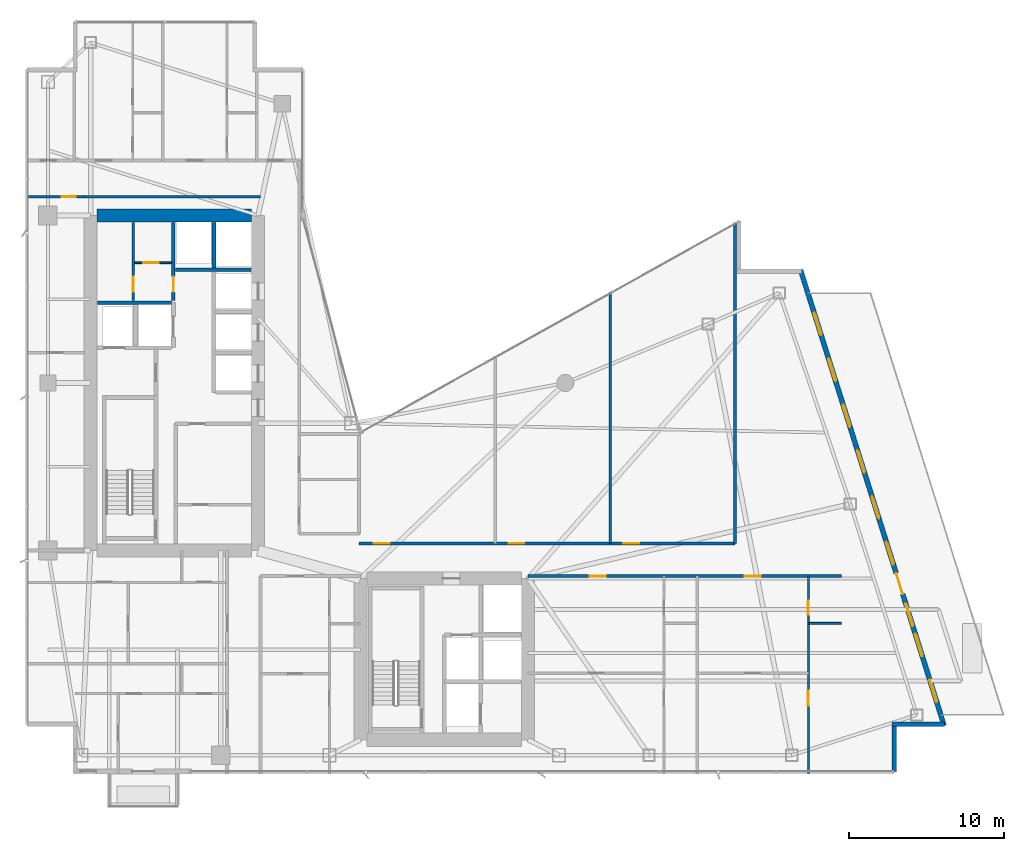
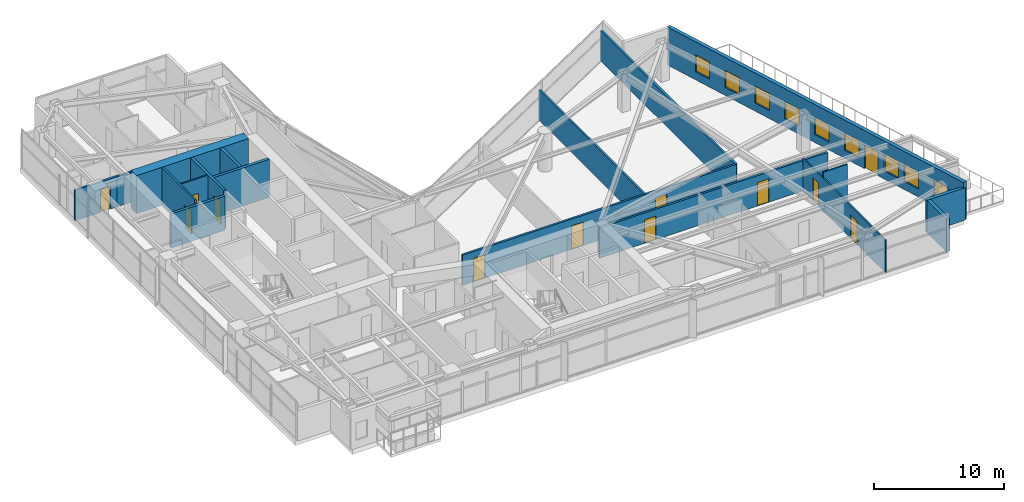
# One storey, part 24 of 28: 18 walls, 12 doors, 9 windows, 21 openings.
"""IFC4 building model written with IfcOpenShell, lengths in metres."""

from ifc_helpers import new_model, si_unit, direction, frame, frame_2d, origin, place, context, subcontext, project, spatial, rectangle, extrude, material, layer, layer_set, type_object, element, fill, save


model = new_model("IFC4")

# Units and contexts
model_context = context("Model", 3, precision=1e-05, world=origin(), true_north=direction((0.0, 1.0)))
body_context = subcontext(model_context, "Body", "Model", "MODEL_VIEW")
ifc_project = project(units=[si_unit("LENGTHUNIT", "METRE"), si_unit("AREAUNIT", "SQUARE_METRE"), si_unit("VOLUMEUNIT", "CUBIC_METRE"), si_unit("PLANEANGLEUNIT", "RADIAN"), si_unit("MASSUNIT", "GRAM", prefix="KILO")], contexts=[model_context])

# Site, building, storey
site_placement = place(None, origin())
site = spatial("IfcSite", under=ifc_project, at=site_placement, CompositionType="ELEMENT")
building_placement = place(site_placement, origin())
building = spatial("IfcBuilding", under=site, at=building_placement, Name="Calvorn Quay Hotel", CompositionType="ELEMENT")
storey_placement = place(building_placement, frame((0.0, 0.0, 97.39990234375)))
storey = spatial("IfcBuildingStorey", under=building, at=storey_placement, Name="L23", CompositionType="ELEMENT", Elevation=97.39990234375)

# Wall
ifc_material_1 = material(Name="Concrete C50", Category="concrete")
ifc_layer_1 = layer(ifc_material_1, 0.85009765625)
ifc_layer_set_1 = layer_set([ifc_layer_1], Name="WL-CORE-850")
wall_type_1 = type_object("IfcWallType", Name="WL-CORE-850", PredefinedType="SHEAR", material=ifc_layer_set_1)
wall_1_placement = place(storey_placement, frame((4.625, 38.39990234375, 0.0), z_axis=(0.0, 0.0, 1.0), x_axis=(1.0, 0.0, 0.0)))
element("IfcWall", 1, at=wall_1_placement, inside=storey, type_object=wall_type_1, Name="West Core Shear Wall N (L23)", PredefinedType="SHEAR", context=body_context, shape_type="SweptSolid", body=[
    extrude(rectangle(XDim=9.949951171875, YDim=0.85009765625, at=frame_2d((4.97509765625, 0.0))), origin(), (0.0, 0.0, 1.0), 3.56005859375),
])

# Wall, opening, door
ifc_material_2 = material(Name="Acoustic Fireboard Steel-Stud Partition", Category="steel")
ifc_layer_2 = layer(ifc_material_2, 0.179931640625)
ifc_layer_set_2 = layer_set([ifc_layer_2], Name="WL-CORR-FIRE-180")
wall_type_2 = type_object("IfcWallType", Name="WL-CORR-FIRE-180", PredefinedType="PARTITIONING", material=ifc_layer_set_2)
wall_2_placement = place(storey_placement, frame((0.080078125, 39.60009765625, 0.0), z_axis=(0.0, 0.0, 1.0), x_axis=(1.0, 0.0, 0.0)))
wall_2 = element("IfcWall", 2, at=wall_2_placement, inside=storey, type_object=wall_type_2, Name="Partition Wall L23-WL-WBAY-N-DOOR", PredefinedType="PARTITIONING", context=body_context, shape_type="SweptSolid", body=[
    extrude(rectangle(XDim=3.724853515625, YDim=0.179931640625, at=frame_2d((1.8623046875, 0.0))), origin(), (0.0, 0.0, 1.0), 2.840087890625),
])
opening_1_placement = place(wall_2_placement, frame((2.25, 0.0, 0.0)))
opening_1 = element("IfcOpeningElement", 3, at=opening_1_placement, cuts=wall_2, Name="Opening D-L23-WBN", PredefinedType="OPENING", context=body_context, shape_type="SweptSolid", body=[
    extrude(rectangle(XDim=0.89990234375, YDim=2.14990234375, at=frame_2d((0.449951171875, 1.074951171875))), frame((0.0, 0.099853515625, 0.0), z_axis=(0.0, -1.0, 0.0), x_axis=(1.0, 0.0, 0.0)), (0.0, 0.0, 1.0), 0.199951171875),
])
ifc_material_3 = material(Name="Moisture-Sealed Timber En-Suite Door", Category="wood")
door_type_1 = type_object("IfcDoorType", Name="DR-ENSUITE-900", OperationType="NOTDEFINED", PredefinedType="DOOR", material=ifc_material_3)
door_1_placement = place(opening_1_placement, origin())
door_1 = element("IfcDoor", 4, at=door_1_placement, inside=storey, type_object=door_type_1, Name="West North Bay Door (L23)", OperationType="SINGLE_SWING_LEFT", OverallHeight=2.14990234375, OverallWidth=0.89990234375, PredefinedType="DOOR", context=body_context, shape_type="SweptSolid", body=[
    extrude(rectangle(XDim=0.89990234375, YDim=2.14990234375, at=frame_2d((0.449951171875, 1.074951171875))), frame((0.0, 0.02490234375, 0.0), z_axis=(0.0, -1.0, 0.0), x_axis=(1.0, 0.0, 0.0)), (0.0, 0.0, 1.0), 0.050048828125),
])
fill(opening_1, door_1)

# Wall
wall_3_placement = place(storey_placement, frame((3.7548828125, 39.60009765625, 0.0), z_axis=(0.0, 0.0, 1.0), x_axis=(1.0, 0.0, 0.0)))
element("IfcWall", 5, at=wall_3_placement, inside=storey, type_object=wall_type_2, Name="Partition Wall L23-WL-W-SPUR-S", PredefinedType="PARTITIONING", context=body_context, shape_type="SweptSolid", body=[
    extrude(rectangle(XDim=11.39501953125, YDim=0.179931640625, at=frame_2d((5.697509765625, 0.0))), origin(), (0.0, 0.0, 1.0), 2.840087890625),
])

# Wall, openings, doors
wall_4_placement = place(storey_placement, frame((32.39990234375, 15.14990234375, 0.0), z_axis=(0.0, 0.0, 1.0), x_axis=(1.0, 0.0, 0.0)))
wall_4 = element("IfcWall", 6, at=wall_4_placement, inside=storey, type_object=wall_type_2, Name="Partition Wall L23-WL-CORR-SE-S", PredefinedType="PARTITIONING", context=body_context, shape_type="SweptSolid", body=[
    extrude(rectangle(XDim=20.2001953125, YDim=0.179931640625, at=frame_2d((10.10009765625, 0.0))), origin(), (0.0, 0.0, 1.0), 2.840087890625),
])
opening_2_placement = place(wall_4_placement, frame((3.97998046875, 0.0, 0.0)))
opening_2 = element("IfcOpeningElement", 7, at=opening_2_placement, cuts=wall_4, Name="Opening D-L23-U06", PredefinedType="OPENING", context=body_context, shape_type="SweptSolid", body=[
    extrude(rectangle(XDim=1.02001953125, YDim=2.199951171875, at=frame_2d((0.510009765625, 1.10009765625))), frame((0.0, 0.099853515625, 0.0), z_axis=(0.0, -1.0, 0.0), x_axis=(1.0, 0.0, 0.0)), (0.0, 0.0, 1.0), 0.199951171875),
])
opening_3_placement = place(wall_4_placement, frame((13.97998046875, 0.0, 0.0)))
opening_3 = element("IfcOpeningElement", 8, at=opening_3_placement, cuts=wall_4, Name="Opening D-L23-U07", PredefinedType="OPENING", context=body_context, shape_type="SweptSolid", body=[
    extrude(rectangle(XDim=1.02001953125, YDim=2.199951171875, at=frame_2d((0.510009765625, 1.10009765625))), frame((0.0, 0.099853515625, 0.0), z_axis=(0.0, -1.0, 0.0), x_axis=(1.0, 0.0, 0.0)), (0.0, 0.0, 1.0), 0.199951171875),
])
ifc_material_4 = material(Name="Solid-Core Walnut Veneer Hotel Fire Door")
door_type_2 = type_object("IfcDoorType", Name="DR-GUEST-ENTRY-1020", OperationType="NOTDEFINED", PredefinedType="DOOR", material=ifc_material_4)
door_2_placement = place(opening_2_placement, origin())
door_2 = element("IfcDoor", 9, at=door_2_placement, inside=storey, type_object=door_type_2, Name="South-East Unit Door U06 (L23)", OperationType="SINGLE_SWING_LEFT", OverallHeight=2.199951171875, OverallWidth=1.02001953125, PredefinedType="DOOR", context=body_context, shape_type="SweptSolid", body=[
    extrude(rectangle(XDim=1.02001953125, YDim=2.199951171875, at=frame_2d((0.510009765625, 1.10009765625))), frame((0.0, 0.02490234375, 0.0), z_axis=(0.0, -1.0, 0.0), x_axis=(1.0, 0.0, 0.0)), (0.0, 0.0, 1.0), 0.050048828125),
])
fill(opening_2, door_2)
door_3_placement = place(opening_3_placement, origin())
door_3 = element("IfcDoor", 10, at=door_3_placement, inside=storey, type_object=door_type_2, Name="South-East Unit Door U07 (L23)", OperationType="SINGLE_SWING_RIGHT", OverallHeight=2.199951171875, OverallWidth=1.02001953125, PredefinedType="DOOR", context=body_context, shape_type="SweptSolid", body=[
    extrude(rectangle(XDim=1.02001953125, YDim=2.199951171875, at=frame_2d((0.510009765625, 1.10009765625))), frame((0.0, 0.02490234375, 0.0), z_axis=(0.0, -1.0, 0.0), x_axis=(1.0, 0.0, 0.0)), (0.0, 0.0, 1.0), 0.050048828125),
])
fill(opening_3, door_3)

wall_5_placement = place(storey_placement, frame((21.5, 17.25, 0.0), z_axis=(0.0, 0.0, 1.0), x_axis=(1.0, 0.0, 0.0)))
wall_5 = element("IfcWall", 11, at=wall_5_placement, inside=storey, type_object=wall_type_2, Name="Partition Wall L23-WL-CORR-NE-N", PredefinedType="PARTITIONING", context=body_context, shape_type="SweptSolid", body=[
    extrude(rectangle(XDim=24.25, YDim=0.179931640625, at=frame_2d((12.125, 0.0))), origin(), (0.0, 0.0, 1.0), 2.840087890625),
])
opening_4_placement = place(wall_5_placement, frame((0.949951171875, 0.0, 0.0)))
opening_4 = element("IfcOpeningElement", 12, at=opening_4_placement, cuts=wall_5, Name="Opening D-L23-NS1", PredefinedType="OPENING", context=body_context, shape_type="SweptSolid", body=[
    extrude(rectangle(XDim=1.02001953125, YDim=2.199951171875, at=frame_2d((0.510009765625, 1.10009765625))), frame((0.0, 0.099853515625, 0.0), z_axis=(0.0, -1.0, 0.0), x_axis=(1.0, 0.0, 0.0)), (0.0, 0.0, 1.0), 0.199951171875),
])
opening_5_placement = place(wall_5_placement, frame((9.64990234375, 0.0, 0.0)))
opening_5 = element("IfcOpeningElement", 13, at=opening_5_placement, cuts=wall_5, Name="Opening D-L23-NS2", PredefinedType="OPENING", context=body_context, shape_type="SweptSolid", body=[
    extrude(rectangle(XDim=1.02001953125, YDim=2.199951171875, at=frame_2d((0.510009765625, 1.10009765625))), frame((0.0, 0.099853515625, 0.0), z_axis=(0.0, -1.0, 0.0), x_axis=(1.0, 0.0, 0.0)), (0.0, 0.0, 1.0), 0.199951171875),
])
opening_6_placement = place(wall_5_placement, frame((17.050048828125, 0.0, 0.0)))
opening_6 = element("IfcOpeningElement", 14, at=opening_6_placement, cuts=wall_5, Name="Opening D-L23-NS3", PredefinedType="OPENING", context=body_context, shape_type="SweptSolid", body=[
    extrude(rectangle(XDim=1.02001953125, YDim=2.199951171875, at=frame_2d((0.510009765625, 1.10009765625))), frame((0.0, 0.099853515625, 0.0), z_axis=(0.0, -1.0, 0.0), x_axis=(1.0, 0.0, 0.0)), (0.0, 0.0, 1.0), 0.199951171875),
])
door_4_placement = place(opening_4_placement, origin())
door_4 = element("IfcDoor", 15, at=door_4_placement, inside=storey, type_object=door_type_2, Name="Conservatory Salon Door 1 (L23)", OperationType="SINGLE_SWING_RIGHT", OverallHeight=2.199951171875, OverallWidth=1.02001953125, PredefinedType="DOOR", context=body_context, shape_type="SweptSolid", body=[
    extrude(rectangle(XDim=1.02001953125, YDim=2.199951171875, at=frame_2d((0.510009765625, 1.10009765625))), frame((0.0, 0.02490234375, 0.0), z_axis=(0.0, -1.0, 0.0), x_axis=(1.0, 0.0, 0.0)), (0.0, 0.0, 1.0), 0.050048828125),
])
fill(opening_4, door_4)
door_5_placement = place(opening_5_placement, origin())
door_5 = element("IfcDoor", 16, at=door_5_placement, inside=storey, type_object=door_type_2, Name="Conservatory Salon Door 2 (L23)", OperationType="SINGLE_SWING_LEFT", OverallHeight=2.199951171875, OverallWidth=1.02001953125, PredefinedType="DOOR", context=body_context, shape_type="SweptSolid", body=[
    extrude(rectangle(XDim=1.02001953125, YDim=2.199951171875, at=frame_2d((0.510009765625, 1.10009765625))), frame((0.0, 0.02490234375, 0.0), z_axis=(0.0, -1.0, 0.0), x_axis=(1.0, 0.0, 0.0)), (0.0, 0.0, 1.0), 0.050048828125),
])
fill(opening_5, door_5)
door_6_placement = place(opening_6_placement, origin())
door_6 = element("IfcDoor", 17, at=door_6_placement, inside=storey, type_object=door_type_2, Name="Conservatory Salon Door 3 (L23)", OperationType="SINGLE_SWING_RIGHT", OverallHeight=2.199951171875, OverallWidth=1.02001953125, PredefinedType="DOOR", context=body_context, shape_type="SweptSolid", body=[
    extrude(rectangle(XDim=1.02001953125, YDim=2.199951171875, at=frame_2d((0.510009765625, 1.10009765625))), frame((0.0, 0.02490234375, 0.0), z_axis=(0.0, -1.0, 0.0), x_axis=(1.0, 0.0, 0.0)), (0.0, 0.0, 1.0), 0.050048828125),
])
fill(opening_6, door_6)

# Wall
wall_6_placement = place(storey_placement, frame((45.75, 17.25, 0.0), z_axis=(0.0, 0.0, 1.0), x_axis=(0.0, 1.0, 0.0)))
element("IfcWall", 18, at=wall_6_placement, inside=storey, type_object=wall_type_2, Name="Partition Wall L23-WL-NE-END-E", PredefinedType="PARTITIONING", context=body_context, shape_type="SweptSolid", body=[
    extrude(rectangle(XDim=20.68994140625, YDim=0.179931640625, at=frame_2d((10.344970703125, 0.0))), origin(), (0.0, 0.0, 1.0), 2.840087890625),
])

# Wall, opening, door
ifc_material_5 = material(Name="Moisture-Resistant Tile-Backed Partition")
ifc_layer_3 = layer(ifc_material_5, 0.125)
ifc_layer_set_3 = layer_set([ifc_layer_3], Name="WL-ENSUITE-125")
wall_type_3 = type_object("IfcWallType", Name="WL-ENSUITE-125", PredefinedType="PARTITIONING", material=ifc_layer_set_3)
wall_7_placement = place(storey_placement, frame((7.050048828125, 35.35009765625, 0.0), z_axis=(0.0, 0.0, 1.0), x_axis=(1.0, 0.0, 0.0)))
wall_7 = element("IfcWall", 19, at=wall_7_placement, inside=storey, type_object=wall_type_3, Name="Partition Wall L23-WL-CWW-K-H", PredefinedType="PARTITIONING", context=body_context, shape_type="SweptSolid", body=[
    extrude(rectangle(XDim=2.369873046875, YDim=0.125, at=frame_2d((1.18505859375, 0.0))), origin(), (0.0, 0.0, 1.0), 3.56005859375),
])
opening_7_placement = place(wall_7_placement, frame((0.550048828125, 0.0, 0.0)))
opening_7 = element("IfcOpeningElement", 20, at=opening_7_placement, cuts=wall_7, Name="Opening D-L23-CK3", PredefinedType="OPENING", context=body_context, shape_type="SweptSolid", body=[
    extrude(rectangle(XDim=0.97998046875, YDim=2.14990234375, at=frame_2d((0.489990234375, 1.074951171875))), frame((0.0, 0.072509765625, 0.0), z_axis=(0.0, -1.0, 0.0), x_axis=(1.0, 0.0, 0.0)), (0.0, 0.0, 1.0), 0.14501953125),
])
ifc_material_6 = material(Name="Painted Steel Housekeeping/Riser Fire Door", Category="steel")
door_type_3 = type_object("IfcDoorType", Name="DR-SERVICE-980", OperationType="NOTDEFINED", PredefinedType="DOOR", material=ifc_material_6)
door_7_placement = place(opening_7_placement, origin())
door_7 = element("IfcDoor", 21, at=door_7_placement, inside=storey, type_object=door_type_3, Name="Telecom Closet Door (L23)", OperationType="SINGLE_SWING_RIGHT", OverallHeight=2.14990234375, OverallWidth=0.97998046875, PredefinedType="DOOR", context=body_context, shape_type="SweptSolid", body=[
    extrude(rectangle(XDim=0.97998046875, YDim=2.14990234375, at=frame_2d((0.489990234375, 1.074951171875))), frame((0.0, 0.02490234375, 0.0), z_axis=(0.0, -1.0, 0.0), x_axis=(1.0, 0.0, 0.0)), (0.0, 0.0, 1.0), 0.050048828125),
])
fill(opening_7, door_7)

# Wall
wall_8_placement = place(storey_placement, frame((50.469970703125, 12.10009765625, 0.0), z_axis=(0.0, 0.0, 1.0), x_axis=(1.0, 0.0, 0.0)))
element("IfcWall", 22, at=wall_8_placement, inside=storey, type_object=wall_type_3, Name="Partition Wall L23-WL-U07-BDV", PredefinedType="PARTITIONING", context=body_context, shape_type="SweptSolid", body=[
    extrude(rectangle(XDim=2.130126953125, YDim=0.125, at=frame_2d((1.06494140625, 0.0))), origin(), (0.0, 0.0, 1.0), 3.56005859375),
])

# Wall, openings, doors
wall_9_placement = place(storey_placement, frame((50.469970703125, 2.43994140625, 0.0), z_axis=(0.0, 0.0, 1.0), x_axis=(0.0, 1.0, 0.0)))
wall_9 = element("IfcWall", 23, at=wall_9_placement, inside=storey, type_object=wall_type_3, Name="Partition Wall L23-WL-U07-BV", PredefinedType="PARTITIONING", context=body_context, shape_type="SweptSolid", body=[
    extrude(rectangle(XDim=12.7099609375, YDim=0.125, at=frame_2d((6.35498046875, 0.0))), origin(), (0.0, 0.0, 1.0), 3.0400390625),
])
opening_8_placement = place(wall_9_placement, frame((4.35009765625, 0.0, 0.0)))
opening_8 = element("IfcOpeningElement", 24, at=opening_8_placement, cuts=wall_9, Name="Opening D-L23-S07", PredefinedType="OPENING", context=body_context, shape_type="SweptSolid", body=[
    extrude(rectangle(XDim=0.9599609375, YDim=2.199951171875, at=frame_2d((0.47998046875, 1.10009765625))), frame((0.0, 0.072509765625, 0.0), z_axis=(0.0, -1.0, 0.0), x_axis=(1.0, 0.0, 0.0)), (0.0, 0.0, 1.0), 0.14501953125),
])
opening_9_placement = place(wall_9_placement, frame((10.2099609375, 0.0, 0.0)))
opening_9 = element("IfcOpeningElement", 25, at=opening_9_placement, cuts=wall_9, Name="Opening D-L23-E07", PredefinedType="OPENING", context=body_context, shape_type="SweptSolid", body=[
    extrude(rectangle(XDim=0.89990234375, YDim=2.14990234375, at=frame_2d((0.449951171875, 1.074951171875))), frame((0.0, 0.072509765625, 0.0), z_axis=(0.0, -1.0, 0.0), x_axis=(1.0, 0.0, 0.0)), (0.0, 0.0, 1.0), 0.14501953125),
])
door_8_placement = place(opening_9_placement, origin())
door_8 = element("IfcDoor", 26, at=door_8_placement, inside=storey, type_object=door_type_1, Name="En-Suite Door 07", OperationType="SINGLE_SWING_RIGHT", OverallHeight=2.14990234375, OverallWidth=0.89990234375, PredefinedType="DOOR", context=body_context, shape_type="SweptSolid", body=[
    extrude(rectangle(XDim=0.89990234375, YDim=2.14990234375, at=frame_2d((0.449951171875, 1.074951171875))), frame((0.0, 0.02490234375, 0.0), z_axis=(0.0, -1.0, 0.0), x_axis=(1.0, 0.0, 0.0)), (0.0, 0.0, 1.0), 0.050048828125),
])
fill(opening_9, door_8)
ifc_material_7 = material(Name="Solid Timber Internal Suite Door", Category="wood")
door_type_4 = type_object("IfcDoorType", Name="DR-SUITE-INT-960", OperationType="NOTDEFINED", PredefinedType="DOOR", material=ifc_material_7)
door_9_placement = place(opening_8_placement, origin())
door_9 = element("IfcDoor", 27, at=door_9_placement, inside=storey, type_object=door_type_4, Name="Children Play Nursery Door 07", OperationType="SINGLE_SWING_LEFT", OverallHeight=2.199951171875, OverallWidth=0.9599609375, PredefinedType="DOOR", context=body_context, shape_type="SweptSolid", body=[
    extrude(rectangle(XDim=0.9599609375, YDim=2.199951171875, at=frame_2d((0.47998046875, 1.10009765625))), frame((0.0, 0.02490234375, 0.0), z_axis=(0.0, -1.0, 0.0), x_axis=(1.0, 0.0, 0.0)), (0.0, 0.0, 1.0), 0.050048828125),
])
fill(opening_8, door_9)

# Walls
ifc_material_8 = material(Name="Concrete C40", Category="concrete")
ifc_layer_4 = layer(ifc_material_8, 0.320068359375)
ifc_layer_set_4 = layer_set([ifc_layer_4], Name="WL-EXT-SPANDREL-320")
wall_type_4 = type_object("IfcWallType", Name="WL-EXT-SPANDREL-320", PredefinedType="SOLIDWALL", material=ifc_layer_set_4)
wall_10_placement = place(storey_placement, frame((56.0, 2.52001953125, 0.0), z_axis=(0.0, 0.0, 1.0), x_axis=(0.0, 1.0, 0.0)))
element("IfcWall", 28, at=wall_10_placement, inside=storey, type_object=wall_type_4, Name="Notched Corner Spandrel L23-SE1", PredefinedType="SOLIDWALL", context=body_context, shape_type="SweptSolid", body=[
    extrude(rectangle(XDim=2.93994140625, YDim=0.280029296875, at=frame_2d((1.469970703125, 0.0))), origin(), (0.0, 0.0, 1.0), 3.0400390625),
])
wall_11_placement = place(storey_placement, frame((55.860107421875, 5.60009765625, 0.0), z_axis=(0.0, 0.0, 1.0), x_axis=(1.0, 0.0, 0.0)))
element("IfcWall", 29, at=wall_11_placement, inside=storey, type_object=wall_type_4, Name="Notched Corner Spandrel L23-SE2", PredefinedType="SOLIDWALL", context=body_context, shape_type="SweptSolid", body=[
    extrude(rectangle(XDim=3.3798828125, YDim=0.280029296875, at=frame_2d((1.68994140625, 0.0))), origin(), (0.0, 0.0, 1.0), 3.0400390625),
])

# Wall, openings, door, windows
wall_12_placement = place(storey_placement, frame((59.22998046875, 5.5048828125, 0.0), z_axis=(0.0, 0.0, 1.0), x_axis=(-0.300509063924, 0.953778958931, 0.0)))
wall_12 = element("IfcWall", 30, at=wall_12_placement, inside=storey, type_object=wall_type_4, Name="East Stepped Waterfront Exterior Wall (L23)", PredefinedType="SOLIDWALL", context=body_context, shape_type="SweptSolid", body=[
    extrude(rectangle(XDim=30.814453125, YDim=0.320068359375, at=frame_2d((15.4072265625, 0.0))), origin(), (0.0, 0.0, 1.0), 3.56005859375),
])
opening_10_placement = place(wall_12_placement, frame((8.89990234375, 0.0, 0.0)))
opening_10 = element("IfcOpeningElement", 31, at=opening_10_placement, cuts=wall_12, Name="Opening DTR-L23", PredefinedType="OPENING", context=body_context, shape_type="SweptSolid", body=[
    extrude(rectangle(XDim=1.39990234375, YDim=2.25, at=frame_2d((0.699951171875, 1.125))), frame((0.0, 0.169921875, 0.0), z_axis=(0.0, -1.0, 0.0), x_axis=(1.0, 0.0, 0.0)), (0.0, 0.0, 1.0), 0.340087890625),
])
opening_11_placement = place(wall_12_placement, frame((1.60009765625, 0.0, 0.75)))
opening_11 = element("IfcOpeningElement", 32, at=opening_11_placement, cuts=wall_12, Name="Opening WG-L23-E1", PredefinedType="OPENING", context=body_context, shape_type="SweptSolid", body=[
    extrude(rectangle(XDim=1.5, YDim=1.60009765625, at=frame_2d((0.75, 0.800048828125))), frame((0.0, 0.169921875, 0.0), z_axis=(0.0, -1.0, 0.0), x_axis=(1.0, 0.0, 0.0)), (0.0, 0.0, 1.0), 0.340087890625),
])
opening_12_placement = place(wall_12_placement, frame((4.699951171875, 0.0, 0.75)))
opening_12 = element("IfcOpeningElement", 33, at=opening_12_placement, cuts=wall_12, Name="Opening WG-L23-E2", PredefinedType="OPENING", context=body_context, shape_type="SweptSolid", body=[
    extrude(rectangle(XDim=1.5, YDim=1.60009765625, at=frame_2d((0.75, 0.800048828125))), frame((0.0, 0.169921875, 0.0), z_axis=(0.0, -1.0, 0.0), x_axis=(1.0, 0.0, 0.0)), (0.0, 0.0, 1.0), 0.340087890625),
])
opening_13_placement = place(wall_12_placement, frame((6.75, 0.0, 0.75)))
opening_13 = element("IfcOpeningElement", 34, at=opening_13_placement, cuts=wall_12, Name="Opening WG-L23-E3", PredefinedType="OPENING", context=body_context, shape_type="SweptSolid", body=[
    extrude(rectangle(XDim=1.5, YDim=1.60009765625, at=frame_2d((0.75, 0.800048828125))), frame((0.0, 0.169921875, 0.0), z_axis=(0.0, -1.0, 0.0), x_axis=(1.0, 0.0, 0.0)), (0.0, 0.0, 1.0), 0.340087890625),
])
opening_14_placement = place(wall_12_placement, frame((10.89990234375, 0.0, 0.75)))
opening_14 = element("IfcOpeningElement", 35, at=opening_14_placement, cuts=wall_12, Name="Opening WG-L23-E4", PredefinedType="OPENING", context=body_context, shape_type="SweptSolid", body=[
    extrude(rectangle(XDim=1.5, YDim=1.60009765625, at=frame_2d((0.75, 0.800048828125))), frame((0.0, 0.169921875, 0.0), z_axis=(0.0, -1.0, 0.0), x_axis=(1.0, 0.0, 0.0)), (0.0, 0.0, 1.0), 0.340087890625),
])
opening_15_placement = place(wall_12_placement, frame((14.0, 0.0, 0.75)))
opening_15 = element("IfcOpeningElement", 36, at=opening_15_placement, cuts=wall_12, Name="Opening WG-L23-E5", PredefinedType="OPENING", context=body_context, shape_type="SweptSolid", body=[
    extrude(rectangle(XDim=1.5, YDim=1.60009765625, at=frame_2d((0.75, 0.800048828125))), frame((0.0, 0.169921875, 0.0), z_axis=(0.0, -1.0, 0.0), x_axis=(1.0, 0.0, 0.0)), (0.0, 0.0, 1.0), 0.340087890625),
])
opening_16_placement = place(wall_12_placement, frame((17.10009765625, 0.0, 0.75)))
opening_16 = element("IfcOpeningElement", 37, at=opening_16_placement, cuts=wall_12, Name="Opening WG-L23-E6", PredefinedType="OPENING", context=body_context, shape_type="SweptSolid", body=[
    extrude(rectangle(XDim=1.5, YDim=1.60009765625, at=frame_2d((0.75, 0.800048828125))), frame((0.0, 0.169921875, 0.0), z_axis=(0.0, -1.0, 0.0), x_axis=(1.0, 0.0, 0.0)), (0.0, 0.0, 1.0), 0.340087890625),
])
opening_17_placement = place(wall_12_placement, frame((20.199951171875, 0.0, 0.75)))
opening_17 = element("IfcOpeningElement", 38, at=opening_17_placement, cuts=wall_12, Name="Opening WG-L23-E7", PredefinedType="OPENING", context=body_context, shape_type="SweptSolid", body=[
    extrude(rectangle(XDim=1.5, YDim=1.60009765625, at=frame_2d((0.75, 0.800048828125))), frame((0.0, 0.169921875, 0.0), z_axis=(0.0, -1.0, 0.0), x_axis=(1.0, 0.0, 0.0)), (0.0, 0.0, 1.0), 0.340087890625),
])
opening_18_placement = place(wall_12_placement, frame((23.300048828125, 0.0, 0.75)))
opening_18 = element("IfcOpeningElement", 39, at=opening_18_placement, cuts=wall_12, Name="Opening WG-L23-E8", PredefinedType="OPENING", context=body_context, shape_type="SweptSolid", body=[
    extrude(rectangle(XDim=1.5, YDim=1.60009765625, at=frame_2d((0.75, 0.800048828125))), frame((0.0, 0.169921875, 0.0), z_axis=(0.0, -1.0, 0.0), x_axis=(1.0, 0.0, 0.0)), (0.0, 0.0, 1.0), 0.340087890625),
])
opening_19_placement = place(wall_12_placement, frame((26.39990234375, 0.0, 0.75)))
opening_19 = element("IfcOpeningElement", 40, at=opening_19_placement, cuts=wall_12, Name="Opening WG-L23-E9", PredefinedType="OPENING", context=body_context, shape_type="SweptSolid", body=[
    extrude(rectangle(XDim=1.5, YDim=1.60009765625, at=frame_2d((0.75, 0.800048828125))), frame((0.0, 0.169921875, 0.0), z_axis=(0.0, -1.0, 0.0), x_axis=(1.0, 0.0, 0.0)), (0.0, 0.0, 1.0), 0.340087890625),
])
ifc_material_9 = material(Name="Typhoon-Rated Low-E Aluminium Terrace Door", Category="aluminium")
door_type_5 = type_object("IfcDoorType", Name="DR-BALCONY-GLZ-1400", OperationType="NOTDEFINED", PredefinedType="DOOR", material=ifc_material_9)
door_10_placement = place(opening_10_placement, origin())
door_10 = element("IfcDoor", 41, at=door_10_placement, inside=storey, type_object=door_type_5, Name="Sawtooth Setback Terrace Door (L23)", OperationType="SINGLE_SWING_RIGHT", OverallHeight=2.25, OverallWidth=1.39990234375, PredefinedType="DOOR", context=body_context, shape_type="SweptSolid", body=[
    extrude(rectangle(XDim=1.39990234375, YDim=2.25, at=frame_2d((0.699951171875, 1.125))), frame((0.0, 0.02490234375, 0.0), z_axis=(0.0, -1.0, 0.0), x_axis=(1.0, 0.0, 0.0)), (0.0, 0.0, 1.0), 0.050048828125),
])
fill(opening_10, door_10)
ifc_material_10 = material(Name="Self-Closing Class B Fire Window")
window_type = type_object("IfcWindowType", Name="WIN-REFUGE-1500x1600", PartitioningType="SINGLE_PANEL", PredefinedType="WINDOW", material=ifc_material_10)
window_1_placement = place(opening_11_placement, origin())
window_1 = element("IfcWindow", 42, at=window_1_placement, inside=storey, type_object=window_type, Name="East Facade Window L23-E1", OverallHeight=1.60009765625, OverallWidth=1.5, PartitioningType="SINGLE_PANEL", PredefinedType="WINDOW", context=body_context, shape_type="SweptSolid", body=[
    extrude(rectangle(XDim=1.5, YDim=1.60009765625, at=frame_2d((0.75, 0.800048828125))), frame((0.0, 0.030029296875, 0.0), z_axis=(0.0, -1.0, 0.0), x_axis=(1.0, 0.0, 0.0)), (0.0, 0.0, 1.0), 0.06005859375),
])
fill(opening_11, window_1)
window_2_placement = place(opening_12_placement, origin())
window_2 = element("IfcWindow", 43, at=window_2_placement, inside=storey, type_object=window_type, Name="East Facade Window L23-E2", OverallHeight=1.60009765625, OverallWidth=1.5, PartitioningType="SINGLE_PANEL", PredefinedType="WINDOW", context=body_context, shape_type="SweptSolid", body=[
    extrude(rectangle(XDim=1.5, YDim=1.60009765625, at=frame_2d((0.75, 0.800048828125))), frame((0.0, 0.030029296875, 0.0), z_axis=(0.0, -1.0, 0.0), x_axis=(1.0, 0.0, 0.0)), (0.0, 0.0, 1.0), 0.06005859375),
])
fill(opening_12, window_2)
window_3_placement = place(opening_13_placement, origin())
window_3 = element("IfcWindow", 44, at=window_3_placement, inside=storey, type_object=window_type, Name="East Facade Window L23-E3", OverallHeight=1.60009765625, OverallWidth=1.5, PartitioningType="SINGLE_PANEL", PredefinedType="WINDOW", context=body_context, shape_type="SweptSolid", body=[
    extrude(rectangle(XDim=1.5, YDim=1.60009765625, at=frame_2d((0.75, 0.800048828125))), frame((0.0, 0.030029296875, 0.0), z_axis=(0.0, -1.0, 0.0), x_axis=(1.0, 0.0, 0.0)), (0.0, 0.0, 1.0), 0.06005859375),
])
fill(opening_13, window_3)
window_4_placement = place(opening_14_placement, origin())
window_4 = element("IfcWindow", 45, at=window_4_placement, inside=storey, type_object=window_type, Name="East Facade Window L23-E4", OverallHeight=1.60009765625, OverallWidth=1.5, PartitioningType="SINGLE_PANEL", PredefinedType="WINDOW", context=body_context, shape_type="SweptSolid", body=[
    extrude(rectangle(XDim=1.5, YDim=1.60009765625, at=frame_2d((0.75, 0.800048828125))), frame((0.0, 0.030029296875, 0.0), z_axis=(0.0, -1.0, 0.0), x_axis=(1.0, 0.0, 0.0)), (0.0, 0.0, 1.0), 0.06005859375),
])
fill(opening_14, window_4)
window_5_placement = place(opening_15_placement, origin())
window_5 = element("IfcWindow", 46, at=window_5_placement, inside=storey, type_object=window_type, Name="East Facade Window L23-E5", OverallHeight=1.60009765625, OverallWidth=1.5, PartitioningType="SINGLE_PANEL", PredefinedType="WINDOW", context=body_context, shape_type="SweptSolid", body=[
    extrude(rectangle(XDim=1.5, YDim=1.60009765625, at=frame_2d((0.75, 0.800048828125))), frame((0.0, 0.030029296875, 0.0), z_axis=(0.0, -1.0, 0.0), x_axis=(1.0, 0.0, 0.0)), (0.0, 0.0, 1.0), 0.06005859375),
])
fill(opening_15, window_5)
window_6_placement = place(opening_16_placement, origin())
window_6 = element("IfcWindow", 47, at=window_6_placement, inside=storey, type_object=window_type, Name="East Facade Window L23-E6", OverallHeight=1.60009765625, OverallWidth=1.5, PartitioningType="SINGLE_PANEL", PredefinedType="WINDOW", context=body_context, shape_type="SweptSolid", body=[
    extrude(rectangle(XDim=1.5, YDim=1.60009765625, at=frame_2d((0.75, 0.800048828125))), frame((0.0, 0.030029296875, 0.0), z_axis=(0.0, -1.0, 0.0), x_axis=(1.0, 0.0, 0.0)), (0.0, 0.0, 1.0), 0.06005859375),
])
fill(opening_16, window_6)
window_7_placement = place(opening_17_placement, origin())
window_7 = element("IfcWindow", 48, at=window_7_placement, inside=storey, type_object=window_type, Name="East Facade Window L23-E7", OverallHeight=1.60009765625, OverallWidth=1.5, PartitioningType="SINGLE_PANEL", PredefinedType="WINDOW", context=body_context, shape_type="SweptSolid", body=[
    extrude(rectangle(XDim=1.5, YDim=1.60009765625, at=frame_2d((0.75, 0.800048828125))), frame((0.0, 0.030029296875, 0.0), z_axis=(0.0, -1.0, 0.0), x_axis=(1.0, 0.0, 0.0)), (0.0, 0.0, 1.0), 0.06005859375),
])
fill(opening_17, window_7)
window_8_placement = place(opening_18_placement, origin())
window_8 = element("IfcWindow", 49, at=window_8_placement, inside=storey, type_object=window_type, Name="East Facade Window L23-E8", OverallHeight=1.60009765625, OverallWidth=1.5, PartitioningType="SINGLE_PANEL", PredefinedType="WINDOW", context=body_context, shape_type="SweptSolid", body=[
    extrude(rectangle(XDim=1.5, YDim=1.60009765625, at=frame_2d((0.75, 0.800048828125))), frame((0.0, 0.030029296875, 0.0), z_axis=(0.0, -1.0, 0.0), x_axis=(1.0, 0.0, 0.0)), (0.0, 0.0, 1.0), 0.06005859375),
])
fill(opening_18, window_8)
window_9_placement = place(opening_19_placement, origin())
window_9 = element("IfcWindow", 50, at=window_9_placement, inside=storey, type_object=window_type, Name="East Facade Window L23-E9", OverallHeight=1.60009765625, OverallWidth=1.5, PartitioningType="SINGLE_PANEL", PredefinedType="WINDOW", context=body_context, shape_type="SweptSolid", body=[
    extrude(rectangle(XDim=1.5, YDim=1.60009765625, at=frame_2d((0.75, 0.800048828125))), frame((0.0, 0.030029296875, 0.0), z_axis=(0.0, -1.0, 0.0), x_axis=(1.0, 0.0, 0.0)), (0.0, 0.0, 1.0), 0.06005859375),
])
fill(opening_19, window_9)

# Wall, opening, door
ifc_material_11 = material(Name="Double-Stud Acoustic Gypsum Partition")
ifc_layer_5 = layer(ifc_material_11, 0.159912109375)
ifc_layer_set_5 = layer_set([ifc_layer_5], Name="WL-INTERSUITE-160")
wall_type_5 = type_object("IfcWallType", Name="WL-INTERSUITE-160", PredefinedType="PARTITIONING", material=ifc_layer_set_5)
wall_13_placement = place(storey_placement, frame((6.949951171875, 32.919921875, 0.0), z_axis=(0.0, 0.0, 1.0), x_axis=(0.0, 1.0, 0.0)))
wall_13 = element("IfcWall", 51, at=wall_13_placement, inside=storey, type_object=wall_type_5, Name="Partition Wall L23-WL-CWW-K-V", PredefinedType="PARTITIONING", context=body_context, shape_type="SweptSolid", body=[
    extrude(rectangle(XDim=5.03515625, YDim=0.159912109375, at=frame_2d((2.517578125, 0.0))), origin(), (0.0, 0.0, 1.0), 3.56005859375),
])
opening_20_placement = place(wall_13_placement, frame((0.550048828125, 0.0, 0.0)))
opening_20 = element("IfcOpeningElement", 52, at=opening_20_placement, cuts=wall_13, Name="Opening D-L23-CK1", PredefinedType="OPENING", context=body_context, shape_type="SweptSolid", body=[
    extrude(rectangle(XDim=0.97998046875, YDim=2.14990234375, at=frame_2d((0.489990234375, 1.074951171875))), frame((0.0, 0.08984375, 0.0), z_axis=(0.0, -1.0, 0.0), x_axis=(1.0, 0.0, 0.0)), (0.0, 0.0, 1.0), 0.179931640625),
])
door_11_placement = place(opening_20_placement, origin())
door_11 = element("IfcDoor", 53, at=door_11_placement, inside=storey, type_object=door_type_3, Name="Pipe Riser Door (L23)", OperationType="SINGLE_SWING_LEFT", OverallHeight=2.14990234375, OverallWidth=0.97998046875, PredefinedType="DOOR", context=body_context, shape_type="SweptSolid", body=[
    extrude(rectangle(XDim=0.97998046875, YDim=2.14990234375, at=frame_2d((0.489990234375, 1.074951171875))), frame((0.0, 0.02490234375, 0.0), z_axis=(0.0, -1.0, 0.0), x_axis=(1.0, 0.0, 0.0)), (0.0, 0.0, 1.0), 0.050048828125),
])
fill(opening_20, door_11)

# Wall
wall_14_placement = place(storey_placement, frame((37.699951171875, 17.25, 0.0), z_axis=(0.0, 0.0, 1.0), x_axis=(0.0, 1.0, 0.0)))
element("IfcWall", 54, at=wall_14_placement, inside=storey, type_object=wall_type_5, Name="Partition Wall L23-WL-NE-DIV-2", PredefinedType="PARTITIONING", context=body_context, shape_type="SweptSolid", body=[
    extrude(rectangle(XDim=16.199951171875, YDim=0.159912109375, at=frame_2d((8.10009765625, 0.0))), origin(), (0.0, 0.0, 1.0), 2.840087890625),
])

# Wall, opening, door
ifc_material_12 = material(Name="Autoclaved Aerated Masonry Block", Category="masonry")
ifc_layer_6 = layer(ifc_material_12, 0.219970703125)
ifc_layer_set_6 = layer_set([ifc_layer_6], Name="WL-LOBBY-FIRE-220")
wall_type_6 = type_object("IfcWallType", Name="WL-LOBBY-FIRE-220", PredefinedType="SOLIDWALL", material=ifc_layer_set_6)
wall_15_placement = place(storey_placement, frame((9.5400390625, 32.919921875, 0.0), z_axis=(0.0, 0.0, 1.0), x_axis=(0.0, 1.0, 0.0)))
wall_15 = element("IfcWall", 55, at=wall_15_placement, inside=storey, type_object=wall_type_6, Name="Partition Wall L23-WL-CWW-K-E", PredefinedType="SOLIDWALL", context=body_context, shape_type="SweptSolid", body=[
    extrude(rectangle(XDim=5.03515625, YDim=0.219970703125, at=frame_2d((2.517578125, 0.0))), origin(), (0.0, 0.0, 1.0), 3.56005859375),
])
opening_21_placement = place(wall_15_placement, frame((0.550048828125, 0.0, 0.0)))
opening_21 = element("IfcOpeningElement", 56, at=opening_21_placement, cuts=wall_15, Name="Opening D-L23-CK2", PredefinedType="OPENING", context=body_context, shape_type="SweptSolid", body=[
    extrude(rectangle(XDim=0.97998046875, YDim=2.14990234375, at=frame_2d((0.489990234375, 1.074951171875))), frame((0.0, 0.119873046875, 0.0), z_axis=(0.0, -1.0, 0.0), x_axis=(1.0, 0.0, 0.0)), (0.0, 0.0, 1.0), 0.239990234375),
])
door_12_placement = place(opening_21_placement, origin())
door_12 = element("IfcDoor", 57, at=door_12_placement, inside=storey, type_object=door_type_3, Name="Valet Closet Door (L23)", OperationType="SINGLE_SWING_LEFT", OverallHeight=2.14990234375, OverallWidth=0.97998046875, PredefinedType="DOOR", context=body_context, shape_type="SweptSolid", body=[
    extrude(rectangle(XDim=0.97998046875, YDim=2.14990234375, at=frame_2d((0.489990234375, 1.074951171875))), frame((0.0, 0.02490234375, 0.0), z_axis=(0.0, -1.0, 0.0), x_axis=(1.0, 0.0, 0.0)), (0.0, 0.0, 1.0), 0.050048828125),
])
fill(opening_21, door_12)

# Walls
ifc_material_13 = material(Name="Concrete C40", Category="concrete")
ifc_layer_7 = layer(ifc_material_13, 0.239990234375)
ifc_layer_set_7 = layer_set([ifc_layer_7], Name="WL-SHAFT-240")
wall_type_7 = type_object("IfcWallType", Name="WL-SHAFT-240", PredefinedType="SOLIDWALL", material=ifc_layer_set_7)
wall_16_placement = place(storey_placement, frame((4.64501953125, 32.780029296875, 0.0), z_axis=(0.0, 0.0, 1.0), x_axis=(1.0, 0.0, 0.0)))
element("IfcWall", 58, at=wall_16_placement, inside=storey, type_object=wall_type_7, Name="Partition Wall L23-WL-CWW-SLW-N", PredefinedType="SOLIDWALL", context=body_context, shape_type="SweptSolid", body=[
    extrude(rectangle(XDim=4.77490234375, YDim=0.239990234375, at=frame_2d((2.387451171875, 0.0))), origin(), (0.0, 0.0, 1.0), 3.190185546875),
])
wall_17_placement = place(storey_placement, frame((9.659912109375, 34.89990234375, 0.0), z_axis=(0.0, 0.0, 1.0), x_axis=(1.0, 0.0, 0.0)))
element("IfcWall", 59, at=wall_17_placement, inside=storey, type_object=wall_type_7, Name="Partition Wall L23-WL-CWW-PLH-S", PredefinedType="SOLIDWALL", context=body_context, shape_type="SweptSolid", body=[
    extrude(rectangle(XDim=4.89501953125, YDim=0.239990234375, at=frame_2d((2.447509765625, 0.0))), origin(), (0.0, 0.0, 1.0), 3.56005859375),
])
wall_18_placement = place(storey_placement, frame((12.14990234375, 35.02001953125, 0.0), z_axis=(0.0, 0.0, 1.0), x_axis=(0.0, 1.0, 0.0)))
element("IfcWall", 60, at=wall_18_placement, inside=storey, type_object=wall_type_7, Name="Partition Wall L23-WL-CWW-PLH-DIV", PredefinedType="SOLIDWALL", context=body_context, shape_type="SweptSolid", body=[
    extrude(rectangle(XDim=2.93505859375, YDim=0.239990234375, at=frame_2d((1.467529296875, 0.0))), origin(), (0.0, 0.0, 1.0), 3.56005859375),
])

save(model, "model.ifc")
